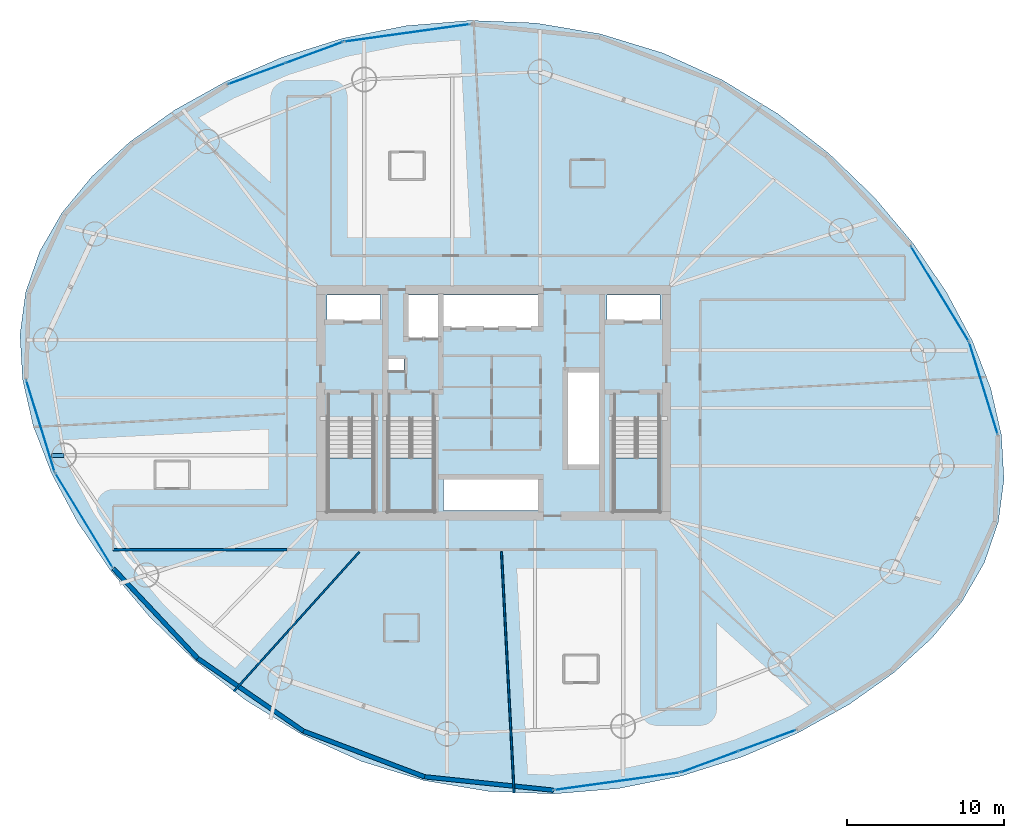
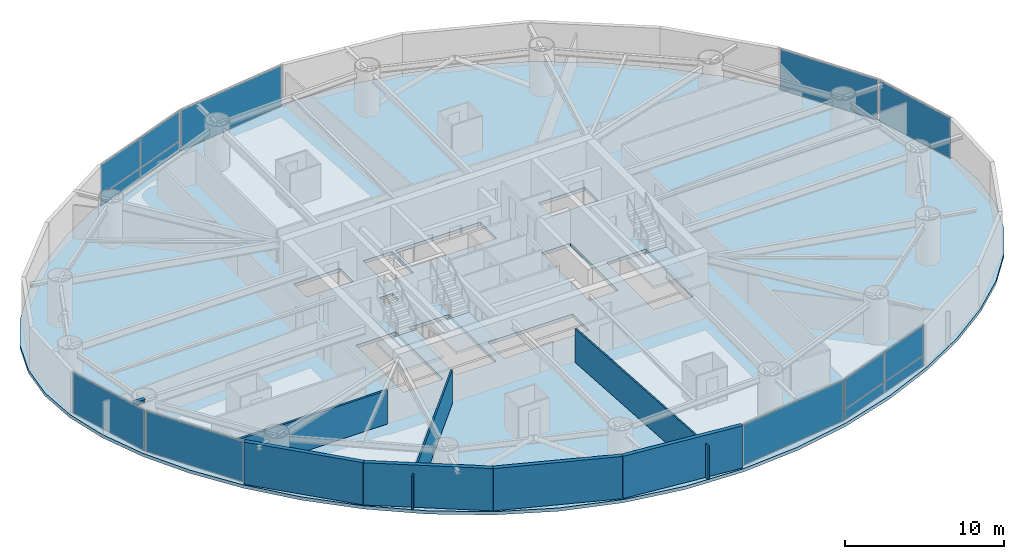
# One storey, part 22 of 30: 14 plates, 7 walls, 4 slabs, 1 beam, 11 elements without a shape of their own.
"""IFC4 building model written with IfcOpenShell, lengths in metres."""

from ifc_helpers import new_model, si_unit, direction, frame, frame_2d, origin, origin_2d, place, context, subcontext, project, spatial, polyline, rectangle, i_section, outline, extrude, material, layer, layer_set, material_profile, profile_set, type_object, element, aggregate, save


model = new_model("IFC4")

# Units and contexts
model_context = context("Model", 3, precision=1e-05, world=origin(), true_north=direction((0.0, 1.0)))
body_context = subcontext(model_context, "Body", "Model", "MODEL_VIEW")
ifc_project = project(units=[si_unit("LENGTHUNIT", "METRE"), si_unit("AREAUNIT", "SQUARE_METRE"), si_unit("VOLUMEUNIT", "CUBIC_METRE"), si_unit("PLANEANGLEUNIT", "RADIAN"), si_unit("MASSUNIT", "GRAM", prefix="KILO")], contexts=[model_context])

# Site, building, storey
site_placement = place(None, origin())
site = spatial("IfcSite", under=ifc_project, at=site_placement, CompositionType="ELEMENT")
building_placement = place(site_placement, origin())
building = spatial("IfcBuilding", under=site, at=building_placement, Name="Bramvorn Convention Spire", CompositionType="ELEMENT")
storey_placement = place(building_placement, frame((0.0, 0.0, 86.89990234375)))
storey = spatial("IfcBuildingStorey", under=building, at=storey_placement, Name="L20", CompositionType="ELEMENT", Elevation=86.89990234375)

# Beam
ifc_material_1 = material(Name="Steel CSA G40.21 Grade 350 (350W)", Category="steel")
ifc_material_profile = material_profile(ifc_material_1, i_section(OverallWidth=0.25390625, OverallDepth=0.2529296875, WebThickness=0.008544921875, FlangeThickness=0.01416015625, FilletRadius=0.011962890625, at=origin_2d()))
ifc_profile_set = profile_set([ifc_material_profile], Name="Steel CSA G40.21 Grade 350 (350W) - W250X73")
beam_type = type_object("IfcBeamType", Name="BM-W250X73", PredefinedType="BEAM", material=ifc_profile_set)
beam_placement = place(storey_placement, frame((10.661376953125, 22.659912109375, 3.12353515625), z_axis=(-1.0, 0.0, 0.0), x_axis=(0.0, -1.0, 0.0)))
element("IfcBeam", 1, at=beam_placement, inside=storey, type_object=beam_type, Name="L20 slab-edge cantilever tip beam MC10", PredefinedType="BEAM", context=body_context, shape_type="SweptSolid", body=[
    extrude(i_section(OverallWidth=0.25390625, OverallDepth=0.2529296875, WebThickness=0.008544921875, FlangeThickness=0.01416015625, FilletRadius=0.011962890625, at=origin_2d()), origin(), (0.0, 0.0, 1.0), 0.800048828125),
])

# Curtain wall, plate
ifc_material_2 = material(Name="Anodised Bronze Unitised Curtain Wall", Category="aluminium")
ifc_layer_1 = layer(ifc_material_2, 0.179931640625)
ifc_layer_set_1 = layer_set([ifc_layer_1], Name="Anodised Bronze Unitised Curtain Wall - CW-HTL-FRIT")
curtain_wall_type = type_object("IfcCurtainWallType", Name="CW-HTL-FRIT", PredefinedType="USERDEFINED", material=ifc_layer_set_1)
curtain_wall_1_placement = place(storey_placement, origin())
curtain_wall_1 = element("IfcCurtainWall", 2, at=curtain_wall_1_placement, inside=storey, type_object=curtain_wall_type, Name="L20 fritted glass curtain wall 02", ObjectType="UNITISED CURTAIN WALL", PredefinedType="USERDEFINED")
ifc_material_3 = material(Name="Laminated Low-E Glass (Triple IGU Bronze Ceramic Frit 35%)", Category="glass")
ifc_layer_2 = layer(ifc_material_3, 0.035888671875)
ifc_layer_set_2 = layer_set([ifc_layer_2], Name="Laminated Low-E Glass (Triple IGU Bronze Ceramic Frit 35%) - PNL-IGU-1")
plate_type = type_object("IfcPlateType", Name="PNL-IGU-1", PredefinedType="CURTAIN_PANEL", material=ifc_layer_set_2)
plate_1_placement = place(storey_placement, frame((69.17431640625, 26.919921875, 0.06005859375), z_axis=(0.0, 0.0, 1.0), x_axis=(0.296067048654, -0.95516715956, 0.0)))
plate_1 = element("IfcPlate", 3, at=plate_1_placement, type_object=plate_type, Name="CW2 panel 1.1", PredefinedType="CURTAIN_PANEL", context=body_context, shape_type="SweptSolid", body=[
    extrude(rectangle(XDim=6.092041015625, YDim=0.028076171875, at=origin_2d()), origin(), (0.0, 0.0, 1.0), 3.1298828125),
])
aggregate(curtain_wall_1, [plate_1])

curtain_wall_2_placement = place(storey_placement, origin())
curtain_wall_2 = element("IfcCurtainWall", 4, at=curtain_wall_2_placement, inside=storey, type_object=curtain_wall_type, Name="L20 fritted glass curtain wall 03", ObjectType="UNITISED CURTAIN WALL", PredefinedType="USERDEFINED")
plate_2_placement = place(storey_placement, frame((66.397216796875, 32.93701171875, 0.06005859375), z_axis=(0.0, 0.0, 1.0), x_axis=(0.52006641684, -0.854125823328, 0.0)))
plate_2 = element("IfcPlate", 5, at=plate_2_placement, type_object=plate_type, Name="CW2 panel 1.1", PredefinedType="CURTAIN_PANEL", context=body_context, shape_type="SweptSolid", body=[
    extrude(rectangle(XDim=7.022705078125, YDim=0.028076171875, at=origin_2d()), origin(), (0.0, 0.0, 1.0), 3.1298828125),
])
aggregate(curtain_wall_2, [plate_2])

curtain_wall_3_placement = place(storey_placement, origin())
curtain_wall_3 = element("IfcCurtainWall", 6, at=curtain_wall_3_placement, inside=storey, type_object=curtain_wall_type, Name="L20 fritted glass curtain wall 08", ObjectType="UNITISED CURTAIN WALL", PredefinedType="USERDEFINED")
plate_3_placement = place(storey_placement, frame((32.48486328125, 49.5361328125, 0.06005859375), z_axis=(0.0, 0.0, 1.0), x_axis=(0.990447193854, 0.137892553048, 0.0)))
plate_3 = element("IfcPlate", 7, at=plate_3_placement, type_object=plate_type, Name="CW2 panel 1.1", PredefinedType="CURTAIN_PANEL", context=body_context, shape_type="SweptSolid", body=[
    extrude(rectangle(XDim=8.05078125, YDim=0.028076171875, at=origin_2d()), origin(), (0.0, 0.0, 1.0), 3.1298828125),
])
aggregate(curtain_wall_3, [plate_3])

# Curtain wall, plates
curtain_wall_4_placement = place(storey_placement, origin())
curtain_wall_4 = element("IfcCurtainWall", 8, at=curtain_wall_4_placement, inside=storey, type_object=curtain_wall_type, Name="L20 fritted glass curtain wall 09", ObjectType="UNITISED CURTAIN WALL", PredefinedType="USERDEFINED")
plate_4_placement = place(storey_placement, frame((22.931396484375, 46.944580078125, 0.06005859375), z_axis=(0.0, 0.0, 1.0), x_axis=(0.938389900012, 0.345578349374, 0.0)))
plate_4 = element("IfcPlate", 9, at=plate_4_placement, type_object=plate_type, Name="CW2 panel 1.1", PredefinedType="CURTAIN_PANEL", context=body_context, shape_type="SweptSolid", body=[
    extrude(rectangle(XDim=3.83251953125, YDim=0.028076171875, at=origin_2d()), origin(), (0.0, 0.0, 1.0), 0.81005859375),
])
plate_5_placement = place(storey_placement, frame((22.931396484375, 46.944580078125, 0.93017578125), z_axis=(0.0, 0.0, 1.0), x_axis=(0.938389900012, 0.345578349374, 0.0)))
plate_5 = element("IfcPlate", 10, at=plate_5_placement, type_object=plate_type, Name="CW2 panel 1.2", PredefinedType="CURTAIN_PANEL", context=body_context, shape_type="SweptSolid", body=[
    extrude(rectangle(XDim=3.83251953125, YDim=0.028076171875, at=origin_2d()), origin(), (0.0, 0.0, 1.0), 2.260009765625),
])
plate_6_placement = place(storey_placement, frame((26.583984375, 48.289794921875, 0.06005859375), z_axis=(0.0, 0.0, 1.0), x_axis=(0.938389900012, 0.345578349374, 0.0)))
plate_6 = element("IfcPlate", 11, at=plate_6_placement, type_object=plate_type, Name="CW2 panel 2.1", PredefinedType="CURTAIN_PANEL", context=body_context, shape_type="SweptSolid", body=[
    extrude(rectangle(XDim=3.83251953125, YDim=0.028076171875, at=origin_2d()), origin(), (0.0, 0.0, 1.0), 0.81005859375),
])
plate_7_placement = place(storey_placement, frame((26.583984375, 48.289794921875, 0.93017578125), z_axis=(0.0, 0.0, 1.0), x_axis=(0.938389900012, 0.345578349374, 0.0)))
plate_7 = element("IfcPlate", 12, at=plate_7_placement, type_object=plate_type, Name="CW2 panel 2.2", PredefinedType="CURTAIN_PANEL", context=body_context, shape_type="SweptSolid", body=[
    extrude(rectangle(XDim=3.83251953125, YDim=0.028076171875, at=origin_2d()), origin(), (0.0, 0.0, 1.0), 2.260009765625),
])
aggregate(curtain_wall_4, [plate_4, plate_5, plate_6, plate_7])

# Curtain wall, plate
curtain_wall_5_placement = place(storey_placement, origin())
curtain_wall_5 = element("IfcCurtainWall", 13, at=curtain_wall_5_placement, inside=storey, type_object=curtain_wall_type, Name="L20 fritted glass curtain wall 14", ObjectType="UNITISED CURTAIN WALL", PredefinedType="USERDEFINED")
plate_8_placement = place(storey_placement, frame((9.161376953125, 24.528076171875, 0.06005859375), z_axis=(0.0, 0.0, 1.0), x_axis=(-0.296067048654, 0.95516715956, 0.0)))
plate_8 = element("IfcPlate", 14, at=plate_8_placement, type_object=plate_type, Name="CW2 panel 1.1", PredefinedType="CURTAIN_PANEL", context=body_context, shape_type="SweptSolid", body=[
    extrude(rectangle(XDim=6.092041015625, YDim=0.028076171875, at=origin_2d()), origin(), (0.0, 0.0, 1.0), 3.1298828125),
])
aggregate(curtain_wall_5, [plate_8])

curtain_wall_6_placement = place(storey_placement, origin())
curtain_wall_6 = element("IfcCurtainWall", 15, at=curtain_wall_6_placement, inside=storey, type_object=curtain_wall_type, Name="L20 fritted glass curtain wall 15", ObjectType="UNITISED CURTAIN WALL", PredefinedType="USERDEFINED")
plate_9_placement = place(storey_placement, frame((11.9384765625, 18.5107421875, 0.06005859375), z_axis=(0.0, 0.0, 1.0), x_axis=(-0.520070411426, 0.854123391062, 0.0)))
plate_9 = element("IfcPlate", 16, at=plate_9_placement, type_object=plate_type, Name="CW2 panel 1.1", PredefinedType="CURTAIN_PANEL", context=body_context, shape_type="SweptSolid", body=[
    extrude(rectangle(XDim=7.02294921875, YDim=0.028076171875, at=origin_2d()), origin(), (0.0, 0.0, 1.0), 3.1298828125),
])
aggregate(curtain_wall_6, [plate_9])

curtain_wall_7_placement = place(storey_placement, origin())
curtain_wall_7 = element("IfcCurtainWall", 17, at=curtain_wall_7_placement, inside=storey, type_object=curtain_wall_type, Name="L20 fritted glass curtain wall 20", ObjectType="UNITISED CURTAIN WALL", PredefinedType="USERDEFINED")
plate_10_placement = place(storey_placement, frame((45.850830078125, 1.911865234375, 0.06005859375), z_axis=(0.0, 0.0, 1.0), x_axis=(-0.990446961141, -0.137894224555, 0.0)))
plate_10 = element("IfcPlate", 18, at=plate_10_placement, type_object=plate_type, Name="CW2 panel 1.1", PredefinedType="CURTAIN_PANEL", context=body_context, shape_type="SweptSolid", body=[
    extrude(rectangle(XDim=8.05078125, YDim=0.028076171875, at=origin_2d()), origin(), (0.0, 0.0, 1.0), 3.1298828125),
])
aggregate(curtain_wall_7, [plate_10])

# Curtain wall, plates
curtain_wall_8_placement = place(storey_placement, origin())
curtain_wall_8 = element("IfcCurtainWall", 19, at=curtain_wall_8_placement, inside=storey, type_object=curtain_wall_type, Name="L20 fritted glass curtain wall 21", ObjectType="UNITISED CURTAIN WALL", PredefinedType="USERDEFINED")
plate_11_placement = place(storey_placement, frame((55.404296875, 4.503173828125, 0.06005859375), z_axis=(0.0, 0.0, 1.0), x_axis=(-0.938391422318, -0.345574215647, 0.0)))
plate_11 = element("IfcPlate", 20, at=plate_11_placement, type_object=plate_type, Name="CW2 panel 1.1", PredefinedType="CURTAIN_PANEL", context=body_context, shape_type="SweptSolid", body=[
    extrude(rectangle(XDim=3.83251953125, YDim=0.028076171875, at=origin_2d()), origin(), (0.0, 0.0, 1.0), 0.81005859375),
])
plate_12_placement = place(storey_placement, frame((55.404296875, 4.503173828125, 0.93017578125), z_axis=(0.0, 0.0, 1.0), x_axis=(-0.938391422318, -0.345574215647, 0.0)))
plate_12 = element("IfcPlate", 21, at=plate_12_placement, type_object=plate_type, Name="CW2 panel 1.2", PredefinedType="CURTAIN_PANEL", context=body_context, shape_type="SweptSolid", body=[
    extrude(rectangle(XDim=3.83251953125, YDim=0.028076171875, at=origin_2d()), origin(), (0.0, 0.0, 1.0), 2.260009765625),
])
plate_13_placement = place(storey_placement, frame((51.751708984375, 3.158203125, 0.06005859375), z_axis=(0.0, 0.0, 1.0), x_axis=(-0.938391422318, -0.345574215647, 0.0)))
plate_13 = element("IfcPlate", 22, at=plate_13_placement, type_object=plate_type, Name="CW2 panel 2.1", PredefinedType="CURTAIN_PANEL", context=body_context, shape_type="SweptSolid", body=[
    extrude(rectangle(XDim=3.83251953125, YDim=0.028076171875, at=origin_2d()), origin(), (0.0, 0.0, 1.0), 0.81005859375),
])
plate_14_placement = place(storey_placement, frame((51.751708984375, 3.158203125, 0.93017578125), z_axis=(0.0, 0.0, 1.0), x_axis=(-0.938391422318, -0.345574215647, 0.0)))
plate_14 = element("IfcPlate", 23, at=plate_14_placement, type_object=plate_type, Name="CW2 panel 2.2", PredefinedType="CURTAIN_PANEL", context=body_context, shape_type="SweptSolid", body=[
    extrude(rectangle(XDim=3.83251953125, YDim=0.028076171875, at=origin_2d()), origin(), (0.0, 0.0, 1.0), 2.260009765625),
])
aggregate(curtain_wall_8, [plate_11, plate_12, plate_13, plate_14])

# Stair, slab
ifc_material_4 = material(Name="Concrete C40/50 Precast Stair", Category="concrete")
stair_type = type_object("IfcStairType", Name="ST-TOWER-1550", PredefinedType="HALF_TURN_STAIR", material=ifc_material_4)
stair_1_placement = place(storey_placement, origin())
stair_1 = element("IfcStair", 24, at=stair_1_placement, inside=storey, type_object=stair_type, Name="L20 Protected Exit Stair ST1", PredefinedType="HALF_TURN_STAIR")
ifc_material_5 = material(Name="Concrete C40/50 Stair Landing", Category="concrete")
ifc_layer_3 = layer(ifc_material_5, 0.219970703125)
ifc_layer_set_3 = layer_set([ifc_layer_3], Name="Concrete C40/50 Stair Landing - SLB-STAIR-LANDING")
slab_type_1 = type_object("IfcSlabType", Name="SLB-STAIR-LANDING", PredefinedType="LANDING", material=ifc_layer_set_3)
slab_1_placement = place(storey_placement, frame((0.0, 0.0, 1.550048828125)))
slab_1 = element("IfcSlab", 25, at=slab_1_placement, type_object=slab_type_1, Name="ST1 landing 1", PredefinedType="LANDING", context=body_context, shape_type="SweptSolid", body=[
    extrude(outline(polyline([(27.449951171875, 22.485107421875), (27.449951171875, 19.10009765625), (30.35009765625, 19.10009765625), (30.35009765625, 22.485107421875), (27.449951171875, 22.485107421875)])), origin(), (0.0, 0.0, 1.0), 0.199951171875),
])
aggregate(stair_1, [slab_1])

stair_2_placement = place(storey_placement, origin())
stair_2 = element("IfcStair", 26, at=stair_2_placement, inside=storey, type_object=stair_type, Name="L20 Protected Exit Stair ST2", PredefinedType="HALF_TURN_STAIR")
slab_2_placement = place(storey_placement, frame((0.0, 0.0, 1.550048828125)))
slab_2 = element("IfcSlab", 27, at=slab_2_placement, type_object=slab_type_1, Name="ST2 landing 1", PredefinedType="LANDING", context=body_context, shape_type="SweptSolid", body=[
    extrude(outline(polyline([(45.64990234375, 22.485107421875), (45.64990234375, 19.10009765625), (48.550048828125, 19.10009765625), (48.550048828125, 22.485107421875), (45.64990234375, 22.485107421875)])), origin(), (0.0, 0.0, 1.0), 0.199951171875),
])
aggregate(stair_2, [slab_2])

stair_3_placement = place(storey_placement, origin())
stair_3 = element("IfcStair", 28, at=stair_3_placement, inside=storey, type_object=stair_type, Name="L20 Protected Exit Stair ST3", PredefinedType="HALF_TURN_STAIR")
slab_3_placement = place(storey_placement, frame((0.0, 0.0, 1.550048828125)))
slab_3 = element("IfcSlab", 29, at=slab_3_placement, type_object=slab_type_1, Name="ST3 landing 1", PredefinedType="LANDING", context=body_context, shape_type="SweptSolid", body=[
    extrude(outline(polyline([(31.300048828125, 22.485107421875), (31.300048828125, 19.10009765625), (34.199951171875, 19.10009765625), (34.199951171875, 22.485107421875), (31.300048828125, 22.485107421875)])), origin(), (0.0, 0.0, 1.0), 0.199951171875),
])
aggregate(stair_3, [slab_3])

# Slab
ifc_material_6 = material(Name="Concrete C50/60", Category="concrete")
ifc_layer_4 = layer(ifc_material_6, 0.25)
ifc_layer_set_4 = layer_set([ifc_layer_4], Name="Concrete C50/60 - SLB-Z1-250")
slab_type_2 = type_object("IfcSlabType", Name="SLB-Z1-250", PredefinedType="FLOOR", material=ifc_layer_set_4)
slab_4_placement = place(storey_placement, frame((0.0, 0.0, -0.25)))
element("IfcSlab", 30, at=slab_4_placement, inside=storey, type_object=slab_type_2, Name="L20 tower floor slab", PredefinedType="FLOOR", context=body_context, shape_type="SweptSolid", body=[
    extrude(outline(polyline([(70.114990234375, 18.408447265625), (70.476318359375, 21.119873046875), (70.312744140625, 23.955810546875), (69.63623046875, 26.90576171875), (68.46435546875, 29.945556640625), (66.8193359375, 33.031982421875), (64.72705078125, 36.10302734375), (62.21728515625, 39.080810546875), (59.323974609375, 41.875244140625), (56.085693359375, 44.3935546875), (52.54736328125, 46.546875), (48.76025390625, 48.259765625), (44.782958984375, 49.477294921875), (40.681396484375, 50.16943359375), (36.528076171875, 50.33349609375), (32.39990234375, 49.99267578125), (28.376953125, 49.19091796875), (24.53857421875, 47.987548828125), (20.961181640625, 46.44873046875), (17.71533203125, 44.6396484375), (14.8623046875, 42.616455078125), (12.45361328125, 40.423095703125), (10.527587890625, 38.08837890625), (9.11181640625, 35.6259765625), (8.220703125, 33.03955078125), (7.859375, 30.327880859375), (8.022705078125, 27.4921875), (8.699462890625, 24.5419921875), (9.871337890625, 21.50244140625), (11.516357421875, 18.416015625), (13.608642578125, 15.3447265625), (16.118408203125, 12.3671875), (19.01171875, 9.572509765625), (22.249755859375, 7.054443359375), (25.7880859375, 4.901123046875), (29.575439453125, 3.18798828125), (33.552734375, 1.970703125), (37.654296875, 1.2783203125), (41.8076171875, 1.1142578125), (45.935791015625, 1.455322265625), (49.958740234375, 2.257080078125), (53.797119140625, 3.460205078125), (57.37451171875, 4.9990234375), (60.620361328125, 6.808349609375), (63.47314453125, 8.831298828125), (65.882080078125, 11.024658203125), (67.80810546875, 13.359619140625), (69.22412109375, 15.822021484375), (70.114990234375, 18.408447265625)]), holes=[polyline([(27.449951171875, 25.050048828125), (27.449951171875, 19.10009765625), (30.35009765625, 19.10009765625), (30.35009765625, 25.050048828125), (27.449951171875, 25.050048828125)]), polyline([(45.64990234375, 25.050048828125), (45.64990234375, 19.10009765625), (48.550048828125, 19.10009765625), (48.550048828125, 25.050048828125), (45.64990234375, 25.050048828125)]), polyline([(31.300048828125, 25.050048828125), (31.300048828125, 19.10009765625), (34.199951171875, 19.10009765625), (34.199951171875, 25.050048828125), (31.300048828125, 25.050048828125)]), polyline([(27.39990234375, 31.219970703125), (30.800048828125, 31.219970703125), (30.800048828125, 32.85009765625), (27.39990234375, 32.85009765625), (27.39990234375, 31.219970703125)]), polyline([(45.199951171875, 31.219970703125), (48.60009765625, 31.219970703125), (48.60009765625, 32.85009765625), (45.199951171875, 32.85009765625), (45.199951171875, 31.219970703125)]), polyline([(32.449951171875, 30.14990234375), (34.56005859375, 30.14990234375), (34.56005859375, 32.85009765625), (32.449951171875, 32.85009765625), (32.449951171875, 30.14990234375)]), polyline([(34.800048828125, 30.800048828125), (40.97998046875, 30.800048828125), (40.97998046875, 32.85009765625), (34.800048828125, 32.85009765625), (34.800048828125, 30.800048828125)]), polyline([(34.800048828125, 19.14990234375), (40.97998046875, 19.14990234375), (40.97998046875, 21.199951171875), (34.800048828125, 21.199951171875), (34.800048828125, 19.14990234375)]), polyline([(42.6201171875, 22.0), (44.75, 22.0), (44.75, 28.0), (42.6201171875, 28.0), (42.6201171875, 22.0)]), polyline([(31.320068359375, 28.02001953125), (32.280029296875, 28.02001953125), (32.280029296875, 28.820068359375), (31.320068359375, 28.820068359375), (31.320068359375, 28.02001953125)])]), origin(), (0.0, 0.0, 1.0), 0.25),
])

# Walls
ifc_material_7 = material(Name="Precast Concrete C40/50 with Bronze Terracotta Rainscreen", Category="masonry")
ifc_layer_5 = layer(ifc_material_7, 0.300048828125)
ifc_layer_set_5 = layer_set([ifc_layer_5], Name="Precast Concrete C40/50 with Bronze Terracotta Rainscreen - WL-EXT-BRONZE-300")
wall_type_1 = type_object("IfcWallType", Name="WL-EXT-BRONZE-300", PredefinedType="SOLIDWALL", material=ifc_layer_set_5)
wall_1_placement = place(storey_placement, frame((19.164306640625, 9.739990234375, 0.0), z_axis=(0.0, 0.0, 1.0), x_axis=(-0.684312676724, 0.729188700183, 0.0)))
element("IfcWall", 31, at=wall_1_placement, inside=storey, type_object=wall_type_1, Name="L20 expressed bronze Gothic lancet pier wall 16", PredefinedType="SOLIDWALL", context=body_context, shape_type="SweptSolid", body=[
    extrude(rectangle(XDim=7.844970703125, YDim=0.280029296875, at=frame_2d((3.92236328125, 0.0))), origin(), (0.0, 0.0, 1.0), 3.25),
])
wall_2_placement = place(storey_placement, frame((25.89599609375, 5.109130859375, 0.0), z_axis=(0.0, 0.0, 1.0), x_axis=(-0.823880602335, 0.566763401338, 0.0)))
element("IfcWall", 32, at=wall_2_placement, inside=storey, type_object=wall_type_1, Name="L20 expressed bronze Gothic lancet pier wall 17", PredefinedType="SOLIDWALL", context=body_context, shape_type="SweptSolid", body=[
    extrude(rectangle(XDim=8.170654296875, YDim=0.280029296875, at=frame_2d((4.08544921875, 0.0))), origin(), (0.0, 0.0, 1.0), 3.25),
])
wall_3_placement = place(storey_placement, frame((33.607421875, 2.201904296875, 0.0), z_axis=(0.0, 0.0, 1.0), x_axis=(-0.935711714366, 0.352765627008, 0.0)))
element("IfcWall", 33, at=wall_3_placement, inside=storey, type_object=wall_type_1, Name="L20 expressed bronze Gothic lancet pier wall 18", PredefinedType="SOLIDWALL", context=body_context, shape_type="SweptSolid", body=[
    extrude(rectangle(XDim=8.2412109375, YDim=0.280029296875, at=frame_2d((4.12060546875, 0.0))), origin(), (0.0, 0.0, 1.0), 3.25),
])
wall_4_placement = place(storey_placement, frame((41.804443359375, 1.348388671875, 0.0), z_axis=(0.0, 0.0, 1.0), x_axis=(-0.99462266911, 0.103565177996, 0.0)))
element("IfcWall", 34, at=wall_4_placement, inside=storey, type_object=wall_type_1, Name="L20 expressed bronze Gothic lancet pier wall 19", PredefinedType="SOLIDWALL", context=body_context, shape_type="SweptSolid", body=[
    extrude(rectangle(XDim=8.241455078125, YDim=0.280029296875, at=frame_2d((4.12060546875, 0.0))), origin(), (0.0, 0.0, 1.0), 3.25),
])
ifc_material_8 = material(Name="Lightweight En-Suite & Wet-Wall Partition", Category="gypsum")
ifc_layer_6 = layer(ifc_material_8, 0.110107421875)
ifc_layer_set_6 = layer_set([ifc_layer_6], Name="Lightweight En-Suite & Wet-Wall Partition - WL-PART-110")
wall_type_2 = type_object("IfcWallType", Name="WL-PART-110", PredefinedType="PARTITIONING", material=ifc_layer_set_6)
wall_5_placement = place(storey_placement, frame((29.455078125, 16.510009765625, 0.0), z_axis=(0.0, 0.0, 1.0), x_axis=(-0.669127258554, -0.743147839841, 0.0)))
element("IfcWall", 35, at=wall_5_placement, inside=storey, type_object=wall_type_2, Name="L20 Guestroom demising wall 6", PredefinedType="PARTITIONING", context=body_context, shape_type="SweptSolid", body=[
    extrude(rectangle(XDim=11.94970703125, YDim=0.110107421875, at=frame_2d((5.974853515625, 0.0))), origin(), (0.0, 0.0, 1.0), 2.60009765625),
])
wall_6_placement = place(storey_placement, frame((38.497314453125, 16.510009765625, 0.0), z_axis=(0.0, 0.0, 1.0), x_axis=(0.052343454942, -0.998629141736, 0.0)))
element("IfcWall", 36, at=wall_6_placement, inside=storey, type_object=wall_type_2, Name="L20 Guestroom demising wall 7", PredefinedType="PARTITIONING", context=body_context, shape_type="SweptSolid", body=[
    extrude(rectangle(XDim=15.349853515625, YDim=0.110107421875, at=frame_2d((7.6748046875, 0.0))), origin(), (0.0, 0.0, 1.0), 2.60009765625),
])
ifc_material_9 = material(Name="Acoustic Metal-Stud Tenant/Corridor Partition", Category="gypsum")
ifc_layer_7 = layer(ifc_material_9, 0.14990234375)
ifc_layer_set_7 = layer_set([ifc_layer_7], Name="Acoustic Metal-Stud Tenant/Corridor Partition - WL-PART-150")
wall_type_3 = type_object("IfcWallType", Name="WL-PART-150", PredefinedType="PARTITIONING", material=ifc_layer_set_7)
wall_7_placement = place(storey_placement, frame((13.781494140625, 16.64990234375, 0.0), z_axis=(0.0, 0.0, 1.0), x_axis=(1.0, 0.0, 0.0)))
element("IfcWall", 37, at=wall_7_placement, inside=storey, type_object=wall_type_3, Name="L20 SW pinwheel wing south wall", PredefinedType="PARTITIONING", context=body_context, shape_type="SweptSolid", body=[
    extrude(rectangle(XDim=11.068603515625, YDim=0.14990234375, at=frame_2d((5.5341796875, 0.0))), origin(), (0.0, 0.0, 1.0), 2.60009765625),
])

save(model, "model.ifc")
